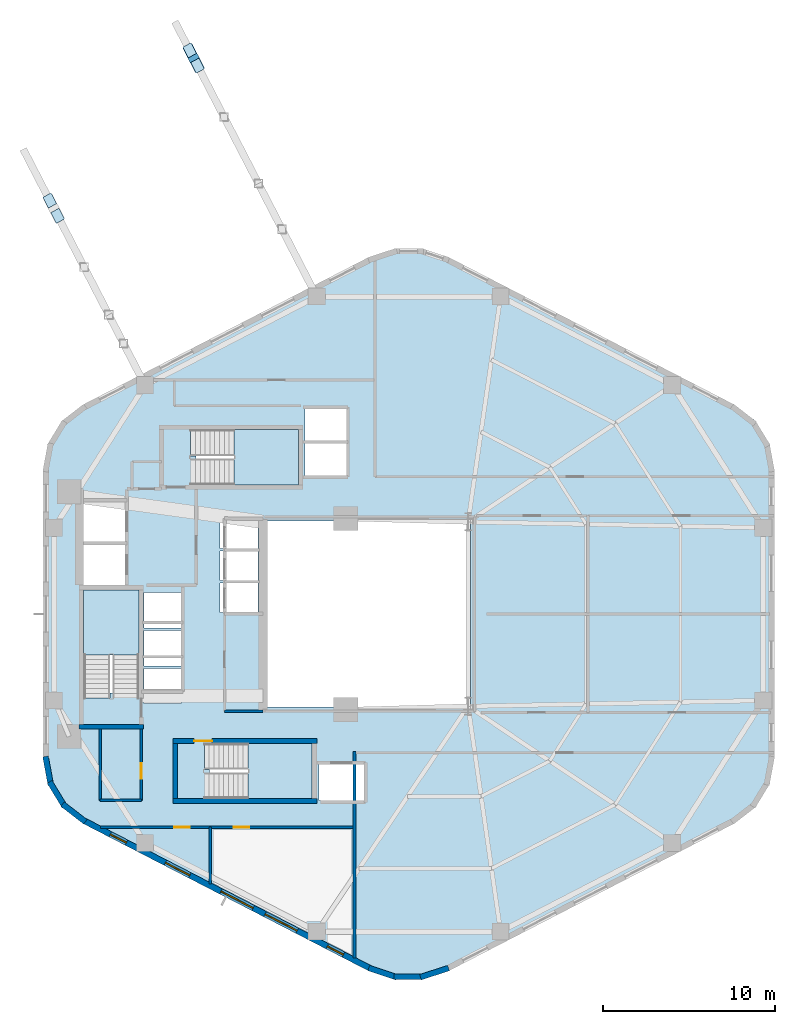
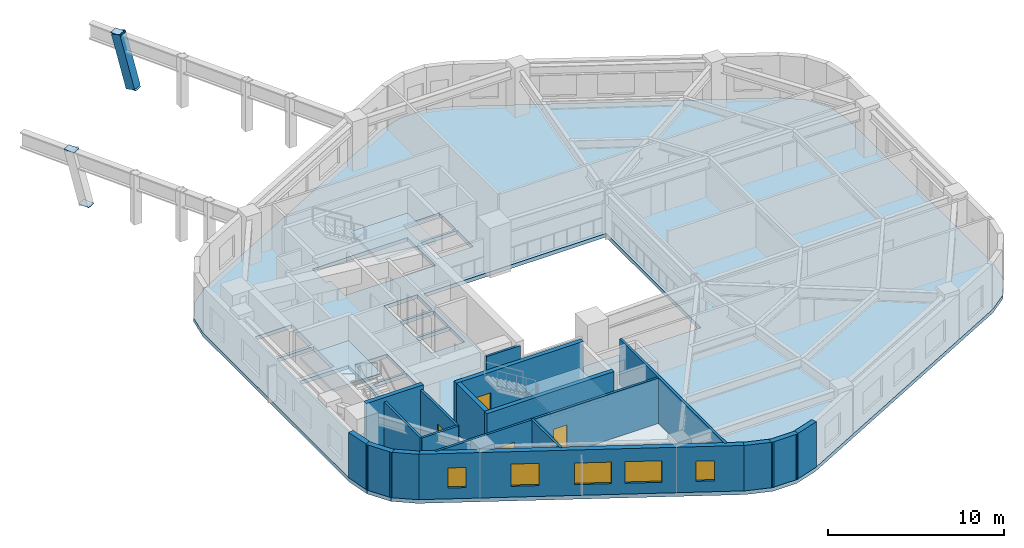
# One storey, part 2 of 6: 18 walls, 5 windows, 4 doors, 4 plates, 4 slabs, 1 member, 9 openings, 3 elements without a shape of their own.
"""IFC4 building model written with IfcOpenShell, lengths in metres."""

from ifc_helpers import new_model, si_unit, direction, frame, frame_2d, origin, origin_2d, place, context, subcontext, project, spatial, polyline, rectangle, hollow_rectangle, outline, extrude, material, layer, layer_set, material_profile, profile_set, type_object, element, fill, aggregate, save


model = new_model("IFC4")

# Units and contexts
model_context = context("Model", 3, precision=1e-05, world=origin(), true_north=direction((0.0, 1.0)))
body_context = subcontext(model_context, "Body", "Model", "MODEL_VIEW")
ifc_project = project(units=[si_unit("LENGTHUNIT", "METRE"), si_unit("AREAUNIT", "SQUARE_METRE"), si_unit("VOLUMEUNIT", "CUBIC_METRE"), si_unit("PLANEANGLEUNIT", "RADIAN"), si_unit("MASSUNIT", "GRAM", prefix="KILO"), si_unit("THERMODYNAMICTEMPERATUREUNIT", "KELVIN"), si_unit("POWERUNIT", "WATT")], contexts=[model_context])

# Site, building, storey
site_placement = place(None, origin())
site = spatial("IfcSite", under=ifc_project, at=site_placement, CompositionType="ELEMENT")
building_placement = place(site_placement, origin())
building = spatial("IfcBuilding", under=site, at=building_placement, Name="Skarre Station Tower", CompositionType="ELEMENT")
storey_placement = place(building_placement, frame((0.0, 0.0, 136.050048828125)))
storey = spatial("IfcBuildingStorey", under=building, at=storey_placement, Name="L36", CompositionType="ELEMENT", Elevation=136.050048828125)

# Member
ifc_material_1 = material(Name="Steel ASTM A501 Grade B", Category="steel")
ifc_material_profile = material_profile(ifc_material_1, hollow_rectangle(XDim=0.60009765625, YDim=0.60009765625, WallThickness=0.028076171875, at=origin_2d()), Name="Steel ASTM A501 Grade B")
ifc_profile_set = profile_set([ifc_material_profile], Name="Steel ASTM A501 Grade B")
member_type = type_object("IfcMemberType", Name="Steel Truss Strut HSS600X600X28", PredefinedType="STRUT", material=ifc_profile_set)
member_placement = place(storey_placement, frame((23.7529296875, 55.818115234375, -0.280029296875), z_axis=(-0.128119810592, 0.248129909769, 0.960217091085), x_axis=(-0.888543643112, -0.458792103557, 0.0)))
element("IfcMember", 1, at=member_placement, inside=storey, type_object=member_type, Name="L36 SB-3 Exoskeleton Raking Strut Tier 4 S1", PredefinedType="STRUT", context=body_context, shape_type="SweptSolid", body=[
    extrude(hollow_rectangle(XDim=0.60009765625, YDim=0.60009765625, WallThickness=0.028076171875, at=origin_2d()), origin(), (0.0, 0.0, 1.0), 3.58251953125),
])

# Plates
ifc_material_2 = material(Name="Steel ASTM A572 Grade 50", Category="steel")
ifc_layer_1 = layer(ifc_material_2, 0.031982421875, Name="Steel ASTM A572 Grade 50")
ifc_layer_set_1 = layer_set([ifc_layer_1], Name="Steel ASTM A572 Grade 50")
plate_type = type_object("IfcPlateType", Name="Exoskeleton Strut Cap Plate 700x540x32", PredefinedType="USERDEFINED", material=ifc_layer_set_1)
for number, where, z_axis, x_axis, name in (
    (2, (23.7529296875, 55.818115234375, -0.2861328125), (0.0, 0.0, 1.0), (-0.458649554484, 0.888617232655, 0.0), "L36 SB-3 Exoskeleton Tier-4 Base Gusset S1"),
    (3, (23.2939453125, 56.70703125, 3.1337890625), (0.0, 0.0, 1.0), (-0.458649554484, 0.888617232655, 0.0), "L36 SB-3 Exoskeleton Tier-4 Head Gusset S1"),
    (4, (15.635986328125, 47.10498046875, -0.2861328125), (0.0, 0.0, 1.0), (-0.458649554484, 0.888617232655, 0.0), "L36 SB-3 Exoskeleton Tier-4 Base Gusset S2"),
    (5, (15.177978515625, 47.993896484375, 3.1337890625), (0.0, 0.0, 1.0), (-0.458649554484, 0.888617232655, 0.0), "L36 SB-3 Exoskeleton Tier-4 Head Gusset S2"),
):
    element("IfcPlate", number, at=place(storey_placement, frame(where, z_axis=z_axis, x_axis=x_axis)), inside=storey, type_object=plate_type, Name=name, ObjectType="STIFFENER_PLATE", PredefinedType="USERDEFINED", context=body_context, shape_type="SweptSolid", body=[
        extrude(rectangle(XDim=0.699951171875, YDim=0.5400390625, at=origin_2d()), origin(), (0.0, 0.0, 1.0), 0.031982421875),
    ])

# Stair, slab
ifc_material_3 = material(Name="Concrete C40/50", Category="concrete")
stair_type_1 = type_object("IfcStairType", Name="Reinforced Concrete Exit Stair ST-1", PredefinedType="HALF_TURN_STAIR", material=ifc_material_3)
stair_1_placement = place(storey_placement, origin())
stair_1 = element("IfcStair", 6, at=stair_1_placement, inside=storey, type_object=stair_type_1, Name="L36 Core Exit Stair ST-1", PredefinedType="HALF_TURN_STAIR")
ifc_layer_2 = layer(ifc_material_3, 0.219970703125, Name="Concrete C40/50")
ifc_layer_set_2 = layer_set([ifc_layer_2], Name="Concrete C40/50")
slab_type_1 = type_object("IfcSlabType", Name="Reinforced Concrete Stair & Ramp Landing 220", PredefinedType="LANDING", material=ifc_layer_set_2)
slab_1_placement = place(storey_placement, frame((0.0, 0.0, 1.52490234375)))
slab_1 = element("IfcSlab", 7, at=slab_1_placement, type_object=slab_type_1, Name="ST-1 landing 1", PredefinedType="LANDING", context=body_context, shape_type="SweptSolid", body=[
    extrude(outline(polyline([(20.35009765625, 21.639892578125), (20.35009765625, 25.39990234375), (17.14990234375, 25.39990234375), (17.14990234375, 21.639892578125), (20.35009765625, 21.639892578125)])), origin(), (0.0, 0.0, 1.0), 0.199951171875),
])
aggregate(stair_1, [slab_1])

stair_type_2 = type_object("IfcStairType", Name="Reinforced Concrete Exit Stair ST-2", PredefinedType="HALF_TURN_STAIR", material=ifc_material_3)
stair_2_placement = place(storey_placement, origin())
stair_2 = element("IfcStair", 8, at=stair_2_placement, inside=storey, type_object=stair_type_2, Name="L36 Core Exit Stair ST-2", PredefinedType="HALF_TURN_STAIR")
slab_2_placement = place(storey_placement, frame((0.0, 0.0, 1.52490234375)))
slab_2 = element("IfcSlab", 9, at=slab_2_placement, type_object=slab_type_1, Name="ST-2 landing 1", PredefinedType="LANDING", context=body_context, shape_type="SweptSolid", body=[
    extrude(outline(polyline([(26.669921875, 13.300048828125), (30.39990234375, 13.300048828125), (30.39990234375, 16.5), (26.669921875, 16.5), (26.669921875, 13.300048828125)])), origin(), (0.0, 0.0, 1.0), 0.199951171875),
])
aggregate(stair_2, [slab_2])

stair_type_3 = type_object("IfcStairType", Name="Reinforced Concrete Exit Stair ST-3", PredefinedType="HALF_TURN_STAIR", material=ifc_material_3)
stair_3_placement = place(storey_placement, origin())
stair_3 = element("IfcStair", 10, at=stair_3_placement, inside=storey, type_object=stair_type_3, Name="L36 Core Exit Stair ST-3", PredefinedType="HALF_TURN_STAIR")
slab_3_placement = place(storey_placement, frame((0.0, 0.0, 1.52490234375)))
slab_3 = element("IfcSlab", 11, at=slab_3_placement, type_object=slab_type_1, Name="ST-3 landing 1", PredefinedType="LANDING", context=body_context, shape_type="SweptSolid", body=[
    extrude(outline(polyline([(25.8701171875, 31.5), (29.60009765625, 31.5), (29.60009765625, 34.699951171875), (25.8701171875, 34.699951171875), (25.8701171875, 31.5)])), origin(), (0.0, 0.0, 1.0), 0.199951171875),
])
aggregate(stair_3, [slab_3])

# Slab
ifc_material_4 = material(Name="Concrete C50/60", Category="concrete")
ifc_layer_3 = layer(ifc_material_4, 0.260009765625, Name="Concrete C50/60")
ifc_layer_set_3 = layer_set([ifc_layer_3], Name="Concrete C50/60")
slab_type_2 = type_object("IfcSlabType", Name="Tower Typical Composite Floor Slab 260", PredefinedType="FLOOR", material=ifc_layer_set_3)
slab_4_placement = place(storey_placement, frame((0.0, 0.0, -0.260009765625)))
element("IfcSlab", 12, at=slab_4_placement, inside=storey, type_object=slab_type_2, Name="L36 Zone 2 Structural Floor Slab", PredefinedType="FLOOR", context=body_context, shape_type="SweptSolid", body=[
    extrude(outline(polyline([(57.218017578125, 32.35205078125), (56.93701171875, 33.873046875), (56.132080078125, 35.194091796875), (54.908935546875, 36.14111328125), (38.30908203125, 44.708984375), (36.7958984375, 45.2060546875), (35.2041015625, 45.2060546875), (33.69091796875, 44.708984375), (17.091064453125, 36.14111328125), (15.867919921875, 35.194091796875), (15.06298828125, 33.873046875), (14.781982421875, 32.35205078125), (14.781982421875, 15.64794921875), (15.06298828125, 14.126953125), (15.867919921875, 12.805908203125), (17.091064453125, 11.85888671875), (33.69091796875, 3.291015625), (35.2041015625, 2.7939453125), (36.7958984375, 2.7939453125), (38.30908203125, 3.291015625), (54.908935546875, 11.85888671875), (56.132080078125, 12.805908203125), (56.93701171875, 14.126953125), (57.218017578125, 15.64794921875), (57.218017578125, 32.35205078125)]), holes=[polyline([(18.669921875, 19.419921875), (18.669921875, 19.123046875), (17.14990234375, 19.123046875), (17.14990234375, 25.39990234375), (20.35009765625, 25.39990234375), (20.35009765625, 19.419921875), (18.669921875, 19.419921875)]), polyline([(24.449951171875, 14.97998046875), (24.153076171875, 14.97998046875), (24.153076171875, 16.5), (30.39990234375, 16.5), (30.39990234375, 13.300048828125), (24.449951171875, 13.300048828125), (24.449951171875, 14.97998046875)]), polyline([(23.64990234375, 33.179931640625), (23.35302734375, 33.179931640625), (23.35302734375, 34.699951171875), (29.60009765625, 34.699951171875), (29.60009765625, 31.5), (23.64990234375, 31.5), (23.64990234375, 33.179931640625)]), polyline([(17.14990234375, 28.0), (19.550048828125, 28.0), (19.550048828125, 25.699951171875), (17.14990234375, 25.699951171875), (17.14990234375, 28.0)]), polyline([(17.14990234375, 30.5), (19.550048828125, 30.5), (19.550048828125, 28.199951171875), (17.14990234375, 28.199951171875), (17.14990234375, 30.5)]), polyline([(30.800048828125, 15.300048828125), (33.39990234375, 15.300048828125), (33.39990234375, 13.199951171875), (30.800048828125, 13.199951171875), (30.800048828125, 15.300048828125)]), polyline([(25.050048828125, 25.800048828125), (27.25, 25.800048828125), (27.25, 24.10009765625), (25.050048828125, 24.10009765625), (25.050048828125, 25.800048828125)]), polyline([(25.050048828125, 27.64990234375), (27.25, 27.64990234375), (27.25, 25.949951171875), (25.050048828125, 25.949951171875), (25.050048828125, 27.64990234375)]), polyline([(25.050048828125, 29.5), (27.25, 29.5), (27.25, 27.800048828125), (25.050048828125, 27.800048828125), (25.050048828125, 29.5)]), polyline([(20.64990234375, 20.85009765625), (22.800048828125, 20.85009765625), (22.800048828125, 18.800048828125), (20.64990234375, 18.800048828125), (20.64990234375, 20.85009765625)]), polyline([(20.64990234375, 23.050048828125), (22.800048828125, 23.050048828125), (22.800048828125, 21.0), (20.64990234375, 21.0), (20.64990234375, 23.050048828125)]), polyline([(20.64990234375, 25.25), (22.800048828125, 25.25), (22.800048828125, 23.199951171875), (20.64990234375, 23.199951171875), (20.64990234375, 25.25)]), polyline([(30.0, 33.89990234375), (32.39990234375, 33.89990234375), (32.39990234375, 32.050048828125), (30.0, 32.050048828125), (30.0, 33.89990234375)]), polyline([(30.0, 35.89990234375), (32.39990234375, 35.89990234375), (32.39990234375, 34.050048828125), (30.0, 34.050048828125), (30.0, 35.89990234375)]), polyline([(27.60009765625, 29.39990234375), (39.60009765625, 29.39990234375), (39.60009765625, 18.60009765625), (27.60009765625, 18.60009765625), (27.60009765625, 29.39990234375)])]), origin(), (0.0, 0.0, 1.0), 0.260009765625),
])

# Walls
ifc_material_5 = material(Name="Acoustic Steel-Stud Gypsum Partition", Category="steel")
ifc_layer_4 = layer(ifc_material_5, 0.14990234375, Name="Acoustic Steel-Stud Gypsum Partition")
ifc_layer_set_4 = layer_set([ifc_layer_4], Name="Acoustic Steel-Stud Gypsum Partition")
wall_type_1 = type_object("IfcWallType", Name="Fire-Rated Corridor Acoustic Partition 150", PredefinedType="PARTITIONING", material=ifc_layer_set_4)
wall_1_placement = place(storey_placement, frame((25.320068359375, 18.360107421875, 0.0), z_axis=(0.0, 0.0, 1.0), x_axis=(1.0, 0.0, 0.0)))
element("IfcWall", 13, at=wall_1_placement, inside=storey, type_object=wall_type_1, Name="L36 Interior Partition WL-PT-L36-RC1-S", PredefinedType="PARTITIONING", context=body_context, shape_type="SweptSolid", body=[
    extrude(rectangle(XDim=2.22998046875, YDim=0.14990234375, at=frame_2d((1.114990234375, 0.0))), origin(), (0.0, 0.0, 1.0), 3.159912109375),
])
wall_2_placement = place(storey_placement, frame((18.10009765625, 17.340087890625, 0.0), z_axis=(0.0, 0.0, 1.0), x_axis=(0.0, -1.0, 0.0)))
element("IfcWall", 14, at=wall_2_placement, inside=storey, type_object=wall_type_1, Name="L36 Interior Partition WL-PT-L36-CSVC-W", PredefinedType="PARTITIONING", context=body_context, shape_type="SweptSolid", body=[
    extrude(rectangle(XDim=4.14013671875, YDim=0.14990234375, at=frame_2d((2.070068359375, 0.0))), origin(), (0.0, 0.0, 1.0), 3.159912109375),
])
wall_3_placement = place(storey_placement, frame((18.10009765625, 13.199951171875, 0.0), z_axis=(0.0, 0.0, 1.0), x_axis=(1.0, 0.0, 0.0)))
element("IfcWall", 15, at=wall_3_placement, inside=storey, type_object=wall_type_1, Name="L36 Interior Partition WL-PT-L36-CSVC-S", PredefinedType="PARTITIONING", context=body_context, shape_type="SweptSolid", body=[
    extrude(rectangle(XDim=2.389892578125, YDim=0.14990234375, at=frame_2d((1.19482421875, 0.0))), origin(), (0.0, 0.0, 1.0), 3.159912109375),
])

# Wall, opening, door
wall_4_placement = place(storey_placement, frame((20.489990234375, 13.199951171875, 0.0), z_axis=(0.0, 0.0, 1.0), x_axis=(0.0, 1.0, 0.0)))
wall_4 = element("IfcWall", 16, at=wall_4_placement, inside=storey, type_object=wall_type_1, Name="L36 Interior Partition WL-PT-L36-CSVC-E", PredefinedType="PARTITIONING", context=body_context, shape_type="SweptSolid", body=[
    extrude(rectangle(XDim=4.14013671875, YDim=0.14990234375, at=frame_2d((2.070068359375, 0.0))), origin(), (0.0, 0.0, 1.0), 3.159912109375),
])
opening_1_placement = place(wall_4_placement, frame((1.25, 0.0, 0.0)))
opening_1 = element("IfcOpeningElement", 17, at=opening_1_placement, cuts=wall_4, Name="Opening DR-SVC90", PredefinedType="OPENING", context=body_context, shape_type="SweptSolid", body=[
    extrude(rectangle(XDim=0.89990234375, YDim=2.0, at=frame_2d((0.449951171875, 1.0))), frame((0.0, 0.0849609375, 0.0), z_axis=(0.0, -1.0, 0.0), x_axis=(1.0, 0.0, 0.0)), (0.0, 0.0, 1.0), 0.169921875),
])
ifc_material_6 = material(Name="Powder-Coated Hollow-Metal Acoustic Fire Leaf", Category="steel")
door_type_1 = type_object("IfcDoorType", Name="Service & Riser Fire Door FD60 900x2100", OperationType="SINGLE_SWING_LEFT", PredefinedType="DOOR", material=ifc_material_6)
door_1_placement = place(opening_1_placement, origin())
door_1 = element("IfcDoor", 18, at=door_1_placement, inside=storey, type_object=door_type_1, Name="L36 Core Pantry Door", OperationType="SINGLE_SWING_LEFT", OverallHeight=2.0, OverallWidth=0.89990234375, PredefinedType="DOOR", context=body_context, shape_type="SweptSolid", body=[
    extrude(rectangle(XDim=0.89990234375, YDim=2.0, at=frame_2d((0.449951171875, 1.0))), frame((0.0, 0.02490234375, 0.0), z_axis=(0.0, -1.0, 0.0), x_axis=(1.0, 0.0, 0.0)), (0.0, 0.0, 1.0), 0.050048828125),
])
fill(opening_1, door_1)

# Wall
wall_5_placement = place(storey_placement, frame((24.5, 8.35009765625, 0.0), z_axis=(0.0, 0.0, 1.0), x_axis=(0.0, 1.0, 0.0)))
element("IfcWall", 19, at=wall_5_placement, inside=storey, type_object=wall_type_1, Name="L36 Interior Partition WL-PT-L36-SWP-M", PredefinedType="PARTITIONING", context=body_context, shape_type="SweptSolid", body=[
    extrude(rectangle(XDim=3.289794921875, YDim=0.14990234375, at=frame_2d((1.64501953125, 0.0))), origin(), (0.0, 0.0, 1.0), 3.159912109375),
])

# Wall, openings, doors
wall_6_placement = place(storey_placement, frame((18.1259765625, 11.639892578125, 0.0), z_axis=(0.0, 0.0, 1.0), x_axis=(1.0, 0.0, 0.0)))
wall_6 = element("IfcWall", 20, at=wall_6_placement, inside=storey, type_object=wall_type_1, Name="L36 Interior Partition WL-PT-L36-SWP-N", PredefinedType="PARTITIONING", context=body_context, shape_type="SweptSolid", body=[
    extrude(rectangle(XDim=14.72412109375, YDim=0.14990234375, at=frame_2d((7.362060546875, 0.0))), origin(), (0.0, 0.0, 1.0), 3.159912109375),
])
opening_2_placement = place(wall_6_placement, frame((4.27392578125, 0.0, 0.0)))
opening_2 = element("IfcOpeningElement", 21, at=opening_2_placement, cuts=wall_6, Name="Opening DR-SVC90", PredefinedType="OPENING", context=body_context, shape_type="SweptSolid", body=[
    extrude(rectangle(XDim=0.89990234375, YDim=2.0, at=frame_2d((0.449951171875, 1.0))), frame((0.0, 0.0849609375, 0.0), z_axis=(0.0, -1.0, 0.0), x_axis=(1.0, 0.0, 0.0)), (0.0, 0.0, 1.0), 0.169921875),
])
opening_3_placement = place(wall_6_placement, frame((7.72412109375, 0.0, 0.0)))
opening_3 = element("IfcOpeningElement", 22, at=opening_3_placement, cuts=wall_6, Name="Opening DR-SVC90", PredefinedType="OPENING", context=body_context, shape_type="SweptSolid", body=[
    extrude(rectangle(XDim=0.89990234375, YDim=2.0, at=frame_2d((0.449951171875, 1.0))), frame((0.0, 0.0849609375, 0.0), z_axis=(0.0, -1.0, 0.0), x_axis=(1.0, 0.0, 0.0)), (0.0, 0.0, 1.0), 0.169921875),
])
door_2_placement = place(opening_2_placement, origin())
door_2 = element("IfcDoor", 23, at=door_2_placement, inside=storey, type_object=door_type_1, Name="L36 Floor Public Toilets Door", OperationType="SINGLE_SWING_LEFT", OverallHeight=2.0, OverallWidth=0.89990234375, PredefinedType="DOOR", context=body_context, shape_type="SweptSolid", body=[
    extrude(rectangle(XDim=0.89990234375, YDim=2.0, at=frame_2d((0.449951171875, 1.0))), frame((0.0, 0.02490234375, 0.0), z_axis=(0.0, -1.0, 0.0), x_axis=(1.0, 0.0, 0.0)), (0.0, 0.0, 1.0), 0.050048828125),
])
fill(opening_2, door_2)
door_3_placement = place(opening_3_placement, origin())
door_3 = element("IfcDoor", 24, at=door_3_placement, inside=storey, type_object=door_type_1, Name="L36 Housekeeping Room Door", OperationType="SINGLE_SWING_LEFT", OverallHeight=2.0, OverallWidth=0.89990234375, PredefinedType="DOOR", context=body_context, shape_type="SweptSolid", body=[
    extrude(rectangle(XDim=0.89990234375, YDim=2.0, at=frame_2d((0.449951171875, 1.0))), frame((0.0, 0.02490234375, 0.0), z_axis=(0.0, -1.0, 0.0), x_axis=(1.0, 0.0, 0.0)), (0.0, 0.0, 1.0), 0.050048828125),
])
fill(opening_3, door_3)

# Wall, openings, windows
ifc_material_7 = material(Name="Precast concrete C45/55", Category="concrete")
ifc_layer_5 = layer(ifc_material_7, 0.340087890625, Name="Precast concrete C45/55")
ifc_layer_set_5 = layer_set([ifc_layer_5], Name="Precast concrete C45/55")
wall_type_2 = type_object("IfcWallType", Name="Nordic Honed Precast Facet Wall 340", PredefinedType="STANDARD", material=ifc_layer_set_5)
wall_7_placement = place(storey_placement, frame((33.76904296875, 3.44189453125, 0.0), z_axis=(0.0, 0.0, 1.0), x_axis=(-0.888613612362, 0.458656568606, 0.0)))
wall_7 = element("IfcWall", 25, at=wall_7_placement, inside=storey, type_object=wall_type_2, Name="L36 Facet 3 Nordic Precast Masonry Wall", PredefinedType="STANDARD", context=body_context, shape_type="SweptSolid", body=[
    extrude(rectangle(XDim=18.680908203125, YDim=0.340087890625, at=frame_2d((9.34033203125, 0.0))), origin(), (0.0, 0.0, 1.0), 3.159912109375),
])
opening_4_placement = place(wall_7_placement, frame((1.75, 0.0, 0.75)))
opening_4 = element("IfcOpeningElement", 26, at=opening_4_placement, cuts=wall_7, Name="Opening WN-SLT", PredefinedType="OPENING", context=body_context, shape_type="SweptSolid", body=[
    extrude(rectangle(XDim=1.050048828125, YDim=1.39990234375, at=frame_2d((0.52490234375, 0.699951171875))), frame((0.0, 0.179931640625, 0.0), z_axis=(0.0, -1.0, 0.0), x_axis=(1.0, 0.0, 0.0)), (0.0, 0.0, 1.0), 0.360107421875),
])
opening_5_placement = place(wall_7_placement, frame((4.764892578125, 0.0, 0.75)))
opening_5 = element("IfcOpeningElement", 27, at=opening_5_placement, cuts=wall_7, Name="Opening WN-Z2B", PredefinedType="OPENING", context=body_context, shape_type="SweptSolid", body=[
    extrude(rectangle(XDim=2.10009765625, YDim=1.5, at=frame_2d((1.050048828125, 0.75))), frame((0.0, 0.179931640625, 0.0), z_axis=(0.0, -1.0, 0.0), x_axis=(1.0, 0.0, 0.0)), (0.0, 0.0, 1.0), 0.360107421875),
])
opening_6_placement = place(wall_7_placement, frame((7.64404296875, 0.0, 0.75)))
opening_6 = element("IfcOpeningElement", 28, at=opening_6_placement, cuts=wall_7, Name="Opening WN-Z2B", PredefinedType="OPENING", context=body_context, shape_type="SweptSolid", body=[
    extrude(rectangle(XDim=2.10009765625, YDim=1.5, at=frame_2d((1.050048828125, 0.75))), frame((0.0, 0.179931640625, 0.0), z_axis=(0.0, -1.0, 0.0), x_axis=(1.0, 0.0, 0.0)), (0.0, 0.0, 1.0), 0.360107421875),
])
opening_7_placement = place(wall_7_placement, frame((11.77392578125, 0.0, 0.75)))
opening_7 = element("IfcOpeningElement", 29, at=opening_7_placement, cuts=wall_7, Name="Opening WN-Z2A", PredefinedType="OPENING", context=body_context, shape_type="SweptSolid", body=[
    extrude(rectangle(XDim=1.60009765625, YDim=1.550048828125, at=frame_2d((0.800048828125, 0.77490234375))), frame((0.0, 0.179931640625, 0.0), z_axis=(0.0, -1.0, 0.0), x_axis=(1.0, 0.0, 0.0)), (0.0, 0.0, 1.0), 0.360107421875),
])
opening_8_placement = place(wall_7_placement, frame((15.919921875, 0.0, 0.75)))
opening_8 = element("IfcOpeningElement", 30, at=opening_8_placement, cuts=wall_7, Name="Opening WN-SLT", PredefinedType="OPENING", context=body_context, shape_type="SweptSolid", body=[
    extrude(rectangle(XDim=1.050048828125, YDim=1.39990234375, at=frame_2d((0.52490234375, 0.699951171875))), frame((0.0, 0.179931640625, 0.0), z_axis=(0.0, -1.0, 0.0), x_axis=(1.0, 0.0, 0.0)), (0.0, 0.0, 1.0), 0.360107421875),
])
ifc_material_8 = material(Name="Low-Iron Triple Glazing with Bronze Anodized Frame", Category="glass")
window_type_1 = type_object("IfcWindowType", Name="Nordic Corner Slot Window 1050x1400", PartitioningType="SINGLE_PANEL", PredefinedType="WINDOW", material=ifc_material_8)
window_1_placement = place(opening_4_placement, origin())
window_1 = element("IfcWindow", 31, at=window_1_placement, inside=storey, type_object=window_type_1, Name="L36 Facade Window WL-FAC-L36-F3-1", OverallHeight=1.39990234375, OverallWidth=1.050048828125, PartitioningType="SINGLE_PANEL", PredefinedType="WINDOW", context=body_context, shape_type="SweptSolid", body=[
    extrude(rectangle(XDim=1.050048828125, YDim=1.39990234375, at=frame_2d((0.52490234375, 0.699951171875))), frame((0.0, 0.030029296875, 0.0), z_axis=(0.0, -1.0, 0.0), x_axis=(1.0, 0.0, 0.0)), (0.0, 0.0, 1.0), 0.06005859375),
])
fill(opening_4, window_1)
window_2_placement = place(opening_8_placement, origin())
window_2 = element("IfcWindow", 32, at=window_2_placement, inside=storey, type_object=window_type_1, Name="L36 Facade Window WL-FAC-L36-F3-5", OverallHeight=1.39990234375, OverallWidth=1.050048828125, PartitioningType="SINGLE_PANEL", PredefinedType="WINDOW", context=body_context, shape_type="SweptSolid", body=[
    extrude(rectangle(XDim=1.050048828125, YDim=1.39990234375, at=frame_2d((0.52490234375, 0.699951171875))), frame((0.0, 0.030029296875, 0.0), z_axis=(0.0, -1.0, 0.0), x_axis=(1.0, 0.0, 0.0)), (0.0, 0.0, 1.0), 0.06005859375),
])
fill(opening_8, window_2)
window_type_2 = type_object("IfcWindowType", Name="Nordic Residential Tall Window 1600x1550", PartitioningType="SINGLE_PANEL", PredefinedType="WINDOW", material=ifc_material_8)
window_3_placement = place(opening_7_placement, origin())
window_3 = element("IfcWindow", 33, at=window_3_placement, inside=storey, type_object=window_type_2, Name="L36 Facade Window WL-FAC-L36-F3-4", OverallHeight=1.550048828125, OverallWidth=1.60009765625, PartitioningType="SINGLE_PANEL", PredefinedType="WINDOW", context=body_context, shape_type="SweptSolid", body=[
    extrude(rectangle(XDim=1.60009765625, YDim=1.550048828125, at=frame_2d((0.800048828125, 0.77490234375))), frame((0.0, 0.030029296875, 0.0), z_axis=(0.0, -1.0, 0.0), x_axis=(1.0, 0.0, 0.0)), (0.0, 0.0, 1.0), 0.06005859375),
])
fill(opening_7, window_3)
window_type_3 = type_object("IfcWindowType", Name="Nordic Residential Twin Window 2100x1500", PartitioningType="SINGLE_PANEL", PredefinedType="WINDOW", material=ifc_material_8)
window_4_placement = place(opening_5_placement, origin())
window_4 = element("IfcWindow", 34, at=window_4_placement, inside=storey, type_object=window_type_3, Name="L36 Facade Window WL-FAC-L36-F3-2", OverallHeight=1.5, OverallWidth=2.10009765625, PartitioningType="SINGLE_PANEL", PredefinedType="WINDOW", context=body_context, shape_type="SweptSolid", body=[
    extrude(rectangle(XDim=2.10009765625, YDim=1.5, at=frame_2d((1.050048828125, 0.75))), frame((0.0, 0.030029296875, 0.0), z_axis=(0.0, -1.0, 0.0), x_axis=(1.0, 0.0, 0.0)), (0.0, 0.0, 1.0), 0.06005859375),
])
fill(opening_5, window_4)
window_5_placement = place(opening_6_placement, origin())
window_5 = element("IfcWindow", 35, at=window_5_placement, inside=storey, type_object=window_type_3, Name="L36 Facade Window WL-FAC-L36-F3-3", OverallHeight=1.5, OverallWidth=2.10009765625, PartitioningType="SINGLE_PANEL", PredefinedType="WINDOW", context=body_context, shape_type="SweptSolid", body=[
    extrude(rectangle(XDim=2.10009765625, YDim=1.5, at=frame_2d((1.050048828125, 0.75))), frame((0.0, 0.030029296875, 0.0), z_axis=(0.0, -1.0, 0.0), x_axis=(1.0, 0.0, 0.0)), (0.0, 0.0, 1.0), 0.06005859375),
])
fill(opening_6, window_5)

# Walls
ifc_layer_6 = layer(ifc_material_7, 0.330078125, Name="Precast concrete C45/55")
ifc_layer_set_6 = layer_set([ifc_layer_6], Name="Precast concrete C45/55")
wall_type_3 = type_object("IfcWallType", Name="Nordic Rounded Corner Precast Wall 330", PredefinedType="STANDARD", material=ifc_layer_set_6)
wall_8_placement = place(storey_placement, frame((17.242919921875, 11.949951171875, 0.0), z_axis=(0.0, 0.0, 1.0), x_axis=(-0.790621329885, 0.612305408053, 0.0)))
element("IfcWall", 36, at=wall_8_placement, inside=storey, type_object=wall_type_3, Name="L36 Rounded Corner Precast Wall F3-1", PredefinedType="STANDARD", context=body_context, shape_type="SweptSolid", body=[
    extrude(rectangle(XDim=1.67578125, YDim=0.330078125, at=frame_2d((0.837890625, 0.0))), origin(), (0.0, 0.0, 1.0), 3.159912109375),
])
wall_9_placement = place(storey_placement, frame((16.04296875, 12.8359375, 0.0), z_axis=(0.0, 0.0, 1.0), x_axis=(-0.520519429557, 0.853849824883, 0.0)))
element("IfcWall", 37, at=wall_9_placement, inside=storey, type_object=wall_type_3, Name="L36 Rounded Corner Precast Wall F3-2", PredefinedType="STANDARD", context=body_context, shape_type="SweptSolid", body=[
    extrude(rectangle(XDim=1.67724609375, YDim=0.330078125, at=frame_2d((0.838623046875, 0.0))), origin(), (0.0, 0.0, 1.0), 3.159912109375),
])
wall_10_placement = place(storey_placement, frame((15.237060546875, 14.093017578125, 0.0), z_axis=(0.0, 0.0, 1.0), x_axis=(-0.181984991895, 0.983301308209, 0.0)))
element("IfcWall", 38, at=wall_10_placement, inside=storey, type_object=wall_type_3, Name="L36 Rounded Corner Precast Wall F3-3", PredefinedType="STANDARD", context=body_context, shape_type="SweptSolid", body=[
    extrude(rectangle(XDim=1.677001953125, YDim=0.330078125, at=frame_2d((0.83837890625, 0.0))), origin(), (0.0, 0.0, 1.0), 3.159912109375),
])
for number, where, z_axis, x_axis, name in (
    (39, (38.319091796875, 3.468017578125, 0.0), (0.0, 0.0, 1.0), (-0.949937416267, -0.312440242569, 0.0), "L36 Rounded Corner Precast Wall F4-1"),
    (40, (36.861083984375, 2.958984375, 0.0), (0.0, 0.0, 1.0), (-1.0, 0.0, 0.0), "L36 Rounded Corner Precast Wall F4-2"),
    (41, (35.31689453125, 2.929931640625, 0.0), (0.0, 0.0, 1.0), (-0.949937416267, 0.312440242569, 0.0), "L36 Rounded Corner Precast Wall F4-3"),
):
    element("IfcWall", number, at=place(storey_placement, frame(where, z_axis=z_axis, x_axis=x_axis)), inside=storey, type_object=wall_type_3, Name=name, PredefinedType="STANDARD", context=body_context, shape_type="SweptSolid", body=[
        extrude(rectangle(XDim=1.72216796875, YDim=0.330078125, at=frame_2d((0.861083984375, 0.0))), origin(), (0.0, 0.0, 1.0), 3.159912109375),
    ])
ifc_layer_7 = layer(ifc_material_4, 0.280029296875, Name="Concrete C50/60")
ifc_layer_set_7 = layer_set([ifc_layer_7], Name="Concrete C50/60")
wall_type_4 = type_object("IfcWallType", Name="RC Core Shear Wall 280", PredefinedType="SHEAR", material=ifc_layer_set_7)
wall_11_placement = place(storey_placement, frame((16.8701171875, 17.4599609375, 0.0), z_axis=(0.0, 0.0, 1.0), x_axis=(1.0, 0.0, 0.0)))
element("IfcWall", 42, at=wall_11_placement, inside=storey, type_object=wall_type_4, Name="L36 Stair ST-1 South Shear Wall", PredefinedType="SHEAR", context=body_context, shape_type="SweptSolid", body=[
    extrude(rectangle(XDim=3.759765625, YDim=0.280029296875, at=frame_2d((1.8798828125, 0.0))), origin(), (0.0, 0.0, 1.0), 3.449951171875),
])
wall_12_placement = place(storey_placement, frame((22.320068359375, 13.159912109375, 0.0), z_axis=(0.0, 0.0, 1.0), x_axis=(1.0, 0.0, 0.0)))
element("IfcWall", 43, at=wall_12_placement, inside=storey, type_object=wall_type_4, Name="L36 Stair ST-2 South Shear Wall", PredefinedType="SHEAR", context=body_context, shape_type="SweptSolid", body=[
    extrude(rectangle(XDim=8.35986328125, YDim=0.280029296875, at=frame_2d((4.179931640625, 0.0))), origin(), (0.0, 0.0, 1.0), 3.449951171875),
])

# Wall, opening, door
wall_13_placement = place(storey_placement, frame((30.679931640625, 16.639892578125, 0.0), z_axis=(0.0, 0.0, 1.0), x_axis=(-1.0, 0.0, 0.0)))
wall_13 = element("IfcWall", 44, at=wall_13_placement, inside=storey, type_object=wall_type_4, Name="L36 Stair ST-2 North Shear Wall", PredefinedType="SHEAR", context=body_context, shape_type="SweptSolid", body=[
    extrude(rectangle(XDim=8.35986328125, YDim=0.280029296875, at=frame_2d((4.179931640625, 0.0))), origin(), (0.0, 0.0, 1.0), 3.449951171875),
])
opening_9_placement = place(wall_13_placement, frame((6.080078125, 0.0, 0.0)))
opening_9 = element("IfcOpeningElement", 45, at=opening_9_placement, cuts=wall_13, Name="Opening DR-FD90", PredefinedType="OPENING", context=body_context, shape_type="SweptSolid", body=[
    extrude(rectangle(XDim=1.050048828125, YDim=2.0, at=frame_2d((0.52490234375, 1.0))), frame((0.0, 0.14990234375, 0.0), z_axis=(0.0, -1.0, 0.0), x_axis=(1.0, 0.0, 0.0)), (0.0, 0.0, 1.0), 0.300048828125),
])
ifc_material_9 = material(Name="Fire-Rated Insulated Steel Frame & Timber Core Leaf", Category="steel")
door_type_2 = type_object("IfcDoorType", Name="Stair & FSAE Lobby Fire Door FD90 1050x2150", OperationType="SINGLE_SWING_RIGHT", PredefinedType="DOOR", material=ifc_material_9)
door_4_placement = place(opening_9_placement, origin())
door_4 = element("IfcDoor", 46, at=door_4_placement, inside=storey, type_object=door_type_2, Name="L36 Stair ST-2 Exit Door", OperationType="SINGLE_SWING_RIGHT", OverallHeight=2.0, OverallWidth=1.050048828125, PredefinedType="DOOR", context=body_context, shape_type="SweptSolid", body=[
    extrude(rectangle(XDim=1.050048828125, YDim=2.0, at=frame_2d((0.52490234375, 1.0))), frame((0.0, 0.02490234375, 0.0), z_axis=(0.0, -1.0, 0.0), x_axis=(1.0, 0.0, 0.0)), (0.0, 0.0, 1.0), 0.050048828125),
])
fill(opening_9, door_4)

# Walls
wall_14_placement = place(storey_placement, frame((22.4599609375, 16.5, 0.0), z_axis=(0.0, 0.0, 1.0), x_axis=(0.0, -1.0, 0.0)))
element("IfcWall", 47, at=wall_14_placement, inside=storey, type_object=wall_type_4, Name="L36 Stair ST-2 West Shear Wall", PredefinedType="SHEAR", context=body_context, shape_type="SweptSolid", body=[
    extrude(rectangle(XDim=3.199951171875, YDim=0.280029296875, at=frame_2d((1.60009765625, 0.0))), origin(), (0.0, 0.0, 1.0), 3.449951171875),
])
ifc_layer_8 = layer(ifc_material_5, 0.1650390625, Name="Acoustic Steel-Stud Gypsum Partition")
ifc_layer_set_8 = layer_set([ifc_layer_8], Name="Acoustic Steel-Stud Gypsum Partition")
wall_type_5 = type_object("IfcWallType", Name="Suite Demising Acoustic Partition 165", PredefinedType="PARTITIONING", material=ifc_layer_set_8)
wall_15_placement = place(storey_placement, frame((32.85009765625, 4.0400390625, 0.0), z_axis=(0.0, 0.0, 1.0), x_axis=(0.0, 1.0, 0.0)))
element("IfcWall", 48, at=wall_15_placement, inside=storey, type_object=wall_type_5, Name="L36 Interior Partition WL-PT-L36-SWP-E", PredefinedType="PARTITIONING", context=body_context, shape_type="SweptSolid", body=[
    extrude(rectangle(XDim=11.989990234375, YDim=0.1650390625, at=frame_2d((5.9951171875, 0.0))), origin(), (0.0, 0.0, 1.0), 3.159912109375),
])

save(model, "model.ifc")
